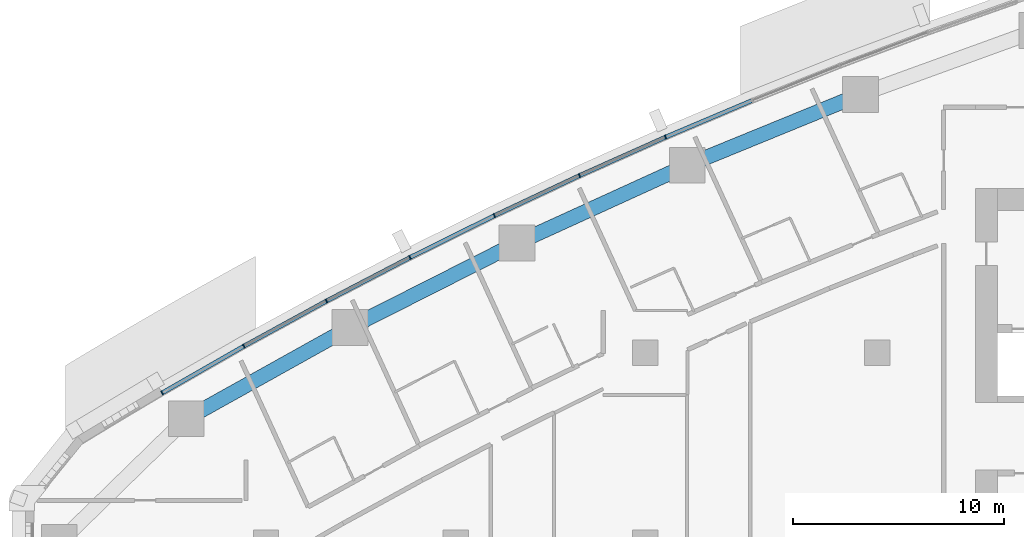
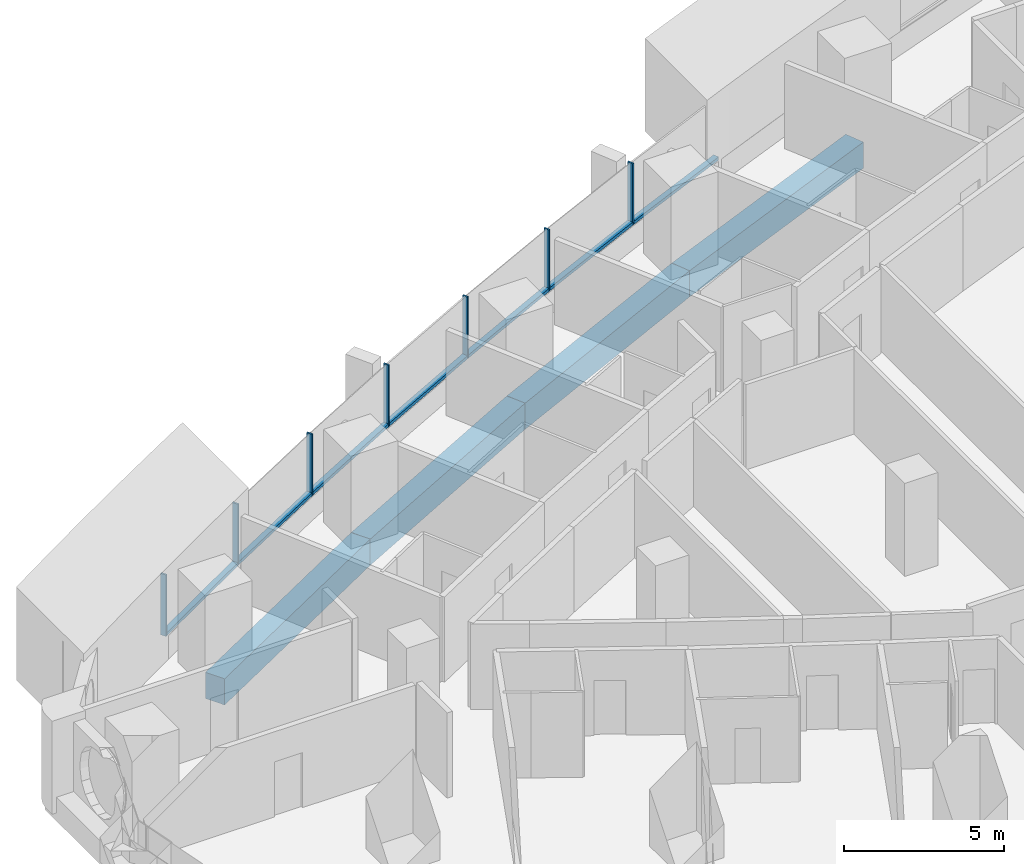
# One storey, part 5 of 17: 14 members, 4 beams, 4 elements without a shape of their own.
"""IFC4 building model written with IfcOpenShell, lengths in metres."""

from ifc_helpers import new_model, si_unit, direction, frame, origin, origin_2d, place, context, subcontext, project, spatial, rectangle, extrude, material, layer, layer_set, material_profile, profile_set, type_object, element, aggregate, save


model = new_model("IFC4")

# Units and contexts
model_context = context("Model", 3, precision=1e-05, world=origin(), true_north=direction((0.0, 1.0)))
body_context = subcontext(model_context, "Body", "Model", "MODEL_VIEW")
ifc_project = project(units=[si_unit("LENGTHUNIT", "METRE"), si_unit("AREAUNIT", "SQUARE_METRE"), si_unit("VOLUMEUNIT", "CUBIC_METRE"), si_unit("PLANEANGLEUNIT", "RADIAN"), si_unit("MASSUNIT", "GRAM", prefix="KILO")], contexts=[model_context])

# Site, building, storey
site_placement = place(None, origin())
site = spatial("IfcSite", under=ifc_project, at=site_placement, CompositionType="ELEMENT")
building_placement = place(site_placement, origin())
building = spatial("IfcBuilding", under=site, at=building_placement, Name="Ostrand Prow Hotel Tower", CompositionType="ELEMENT")
storey_placement = place(building_placement, frame((0.0, 0.0, 106.199951171875)))
storey = spatial("IfcBuildingStorey", under=building, at=storey_placement, Name="L25", CompositionType="ELEMENT", Elevation=106.199951171875)

# Beams
ifc_material_1 = material(Name="Concrete C80/95", Category="concrete")
ifc_material_profile_1 = material_profile(ifc_material_1, rectangle(XDim=0.699951171875, YDim=1.0, at=origin_2d()), Name="RC 700x1000")
ifc_profile_set_1 = profile_set([ifc_material_profile_1], Name="Concrete C80/95")
beam_type = type_object("IfcBeamType", Name="Edge beam 700x1000 C80/95", PredefinedType="SPANDREL", material=ifc_profile_set_1)
beam_1_placement = place(storey_placement, frame((44.210693359375, 21.263671875, -0.800048828125), z_axis=(-0.925612172894, -0.378473387955, 0.0), x_axis=(0.378473387955, -0.925612172894, 0.0)))
element("IfcBeam", 1, at=beam_1_placement, inside=storey, type_object=beam_type, Name="Edge beam N2-N3", PredefinedType="SPANDREL", context=body_context, shape_type="SweptSolid", body=[
    extrude(rectangle(XDim=0.699951171875, YDim=1.0, at=origin_2d()), origin(), (0.0, 0.0, 1.0), 8.88330078125),
])
beam_2_placement = place(storey_placement, frame((35.98828125, 17.901611328125, -0.800048828125), z_axis=(-0.909681006953, -0.415307675813, 0.0), x_axis=(0.415307675813, -0.909681006953, 0.0)))
element("IfcBeam", 2, at=beam_2_placement, inside=storey, type_object=beam_type, Name="Edge beam N3-N4", PredefinedType="SPANDREL", context=body_context, shape_type="SweptSolid", body=[
    extrude(rectangle(XDim=0.699951171875, YDim=1.0, at=origin_2d()), origin(), (0.0, 0.0, 1.0), 8.883544921875),
])
beam_3_placement = place(storey_placement, frame((27.906982421875, 14.212158203125, -0.800048828125), z_axis=(-0.892284288592, -0.451473973039, 0.0), x_axis=(0.451473973039, -0.892284288592, 0.0)))
element("IfcBeam", 3, at=beam_3_placement, inside=storey, type_object=beam_type, Name="Edge beam N4-N5", PredefinedType="SPANDREL", context=body_context, shape_type="SweptSolid", body=[
    extrude(rectangle(XDim=0.699951171875, YDim=1.0, at=origin_2d()), origin(), (0.0, 0.0, 1.0), 8.883056640625),
])
beam_4_placement = place(storey_placement, frame((19.980712890625, 10.20166015625, -0.800048828125), z_axis=(-0.873452439955, -0.486909473245, 0.0), x_axis=(0.486909473245, -0.873452439955, 0.0)))
element("IfcBeam", 4, at=beam_4_placement, inside=storey, type_object=beam_type, Name="Edge beam N5-N6", PredefinedType="SPANDREL", context=body_context, shape_type="SweptSolid", body=[
    extrude(rectangle(XDim=0.699951171875, YDim=1.0, at=origin_2d()), origin(), (0.0, 0.0, 1.0), 8.883544921875),
])

# Curtain wall, member
ifc_material_2 = material(Name="Insulated glass in bronze anodised frame", Category="glass")
ifc_layer = layer(ifc_material_2, 0.199951171875)
ifc_layer_set = layer_set([ifc_layer], Name="Insulated glass in bronze anodised frame")
curtain_wall_type = type_object("IfcCurtainWallType", Name="Strip curtain wall, fritted glass over bronze spandrel", PredefinedType="NOTDEFINED", material=ifc_layer_set)
curtain_wall_1_placement = place(storey_placement, origin())
curtain_wall_1 = element("IfcCurtainWall", 5, at=curtain_wall_1_placement, inside=storey, type_object=curtain_wall_type, Name="CW1 run CWN2", PredefinedType="NOTDEFINED")
ifc_material_3 = material(Name="Bronze anodised aluminium", Category="aluminium")
ifc_material_profile_2 = material_profile(ifc_material_3, rectangle(XDim=0.199951171875, YDim=0.06005859375, at=origin_2d()), Name="Mullion 60x200 bronze anodised aluminium")
ifc_profile_set_2 = profile_set([ifc_material_profile_2], Name="Bronze anodised aluminium")
member_type_1 = type_object("IfcMemberType", Name="Mullion 60x200 bronze anodised aluminium", PredefinedType="MULLION", material=ifc_profile_set_2)
member_1_placement = place(storey_placement, frame((34.95068359375, 19.233154296875, 0.900146484375), z_axis=(0.0, 0.0, 1.0), x_axis=(0.389506566255, -0.921023688536, 0.0)))
member_1 = element("IfcMember", 6, at=member_1_placement, type_object=member_type_1, Name="CW1 mullion 3", PredefinedType="MULLION", context=body_context, shape_type="SweptSolid", body=[
    extrude(rectangle(XDim=0.199951171875, YDim=0.06005859375, at=origin_2d()), origin(), (0.0, 0.0, 1.0), 2.349853515625),
])

# Curtain wall, members
curtain_wall_2_placement = place(storey_placement, origin())
curtain_wall_2 = element("IfcCurtainWall", 7, at=curtain_wall_2_placement, inside=storey, type_object=curtain_wall_type, Name="CW1 run CWN3", PredefinedType="NOTDEFINED")
member_2_placement = place(storey_placement, frame((30.872802734375, 17.41162109375, 0.900146484375), z_axis=(0.0, 0.0, 1.0), x_axis=(0.426079320162, -0.904685808958, 0.0)))
member_2 = element("IfcMember", 8, at=member_2_placement, type_object=member_type_1, Name="CW1 mullion 2", PredefinedType="MULLION", context=body_context, shape_type="SweptSolid", body=[
    extrude(rectangle(XDim=0.199951171875, YDim=0.06005859375, at=origin_2d()), origin(), (0.0, 0.0, 1.0), 2.349853515625),
])
member_3_placement = place(storey_placement, frame((26.83251953125, 15.508544921875, 0.900146484375), z_axis=(0.0, 0.0, 1.0), x_axis=(0.426079320162, -0.904685808958, 0.0)))
member_3 = element("IfcMember", 9, at=member_3_placement, type_object=member_type_1, Name="CW1 mullion 3", PredefinedType="MULLION", context=body_context, shape_type="SweptSolid", body=[
    extrude(rectangle(XDim=0.199951171875, YDim=0.06005859375, at=origin_2d()), origin(), (0.0, 0.0, 1.0), 2.349853515625),
])

curtain_wall_3_placement = place(storey_placement, origin())
curtain_wall_3 = element("IfcCurtainWall", 10, at=curtain_wall_3_placement, inside=storey, type_object=curtain_wall_type, Name="CW1 run CWN4", PredefinedType="NOTDEFINED")
member_4_placement = place(storey_placement, frame((22.831298828125, 13.525146484375, 0.900146484375), z_axis=(0.0, 0.0, 1.0), x_axis=(0.461968432937, -0.886896367661, 0.0)))
member_4 = element("IfcMember", 11, at=member_4_placement, type_object=member_type_1, Name="CW1 mullion 2", PredefinedType="MULLION", context=body_context, shape_type="SweptSolid", body=[
    extrude(rectangle(XDim=0.199951171875, YDim=0.06005859375, at=origin_2d()), origin(), (0.0, 0.0, 1.0), 2.349853515625),
])
member_5_placement = place(storey_placement, frame((18.870361328125, 11.4619140625, 0.900146484375), z_axis=(0.0, 0.0, 1.0), x_axis=(0.461968432937, -0.886896367661, 0.0)))
member_5 = element("IfcMember", 12, at=member_5_placement, type_object=member_type_1, Name="CW1 mullion 3", PredefinedType="MULLION", context=body_context, shape_type="SweptSolid", body=[
    extrude(rectangle(XDim=0.199951171875, YDim=0.06005859375, at=origin_2d()), origin(), (0.0, 0.0, 1.0), 2.349853515625),
])

curtain_wall_4_placement = place(storey_placement, origin())
curtain_wall_4 = element("IfcCurtainWall", 13, at=curtain_wall_4_placement, inside=storey, type_object=curtain_wall_type, Name="CW1 run CWN5", PredefinedType="NOTDEFINED")
member_6_placement = place(storey_placement, frame((14.951416015625, 9.320068359375, 0.900146484375), z_axis=(0.0, 0.0, 1.0), x_axis=(0.497114806368, -0.867684775301, 0.0)))
member_6 = element("IfcMember", 14, at=member_6_placement, type_object=member_type_1, Name="CW1 mullion 2", PredefinedType="MULLION", context=body_context, shape_type="SweptSolid", body=[
    extrude(rectangle(XDim=0.199951171875, YDim=0.06005859375, at=origin_2d()), origin(), (0.0, 0.0, 1.0), 2.349853515625),
])
member_7_placement = place(storey_placement, frame((11.076416015625, 7.099853515625, 0.900146484375), z_axis=(0.0, 0.0, 1.0), x_axis=(0.497114806368, -0.867684775301, 0.0)))
member_7 = element("IfcMember", 15, at=member_7_placement, type_object=member_type_1, Name="CW1 mullion 3", PredefinedType="MULLION", context=body_context, shape_type="SweptSolid", body=[
    extrude(rectangle(XDim=0.199951171875, YDim=0.06005859375, at=origin_2d()), origin(), (0.0, 0.0, 1.0), 2.349853515625),
])

# Member
ifc_material_4 = material(Name="Bronze anodised aluminium", Category="aluminium")
ifc_material_profile_3 = material_profile(ifc_material_4, rectangle(XDim=0.199951171875, YDim=0.1201171875, at=origin_2d()), Name="Transom 120x200 bronze anodised aluminium")
ifc_profile_set_3 = profile_set([ifc_material_profile_3], Name="Bronze anodised aluminium")
member_type_2 = type_object("IfcMemberType", Name="Transom 120x200 bronze anodised aluminium", PredefinedType="USERDEFINED", material=ifc_profile_set_3)
member_8_placement = place(storey_placement, frame((39.0361328125, 20.9609375, 0.9599609375), z_axis=(-0.921006250528, -0.389547797438, 0.0), x_axis=(0.389547797438, -0.921006250528, 0.0)))
member_8 = element("IfcMember", 16, at=member_8_placement, type_object=member_type_2, Name="CW1 transom 2.1", ObjectType="TRANSOM", PredefinedType="USERDEFINED", context=body_context, shape_type="SweptSolid", body=[
    extrude(rectangle(XDim=0.199951171875, YDim=0.1201171875, at=origin_2d()), origin(), (0.0, 0.0, 1.0), 4.406005859375),
])

aggregate(curtain_wall_1, [member_1, member_8])

member_9_placement = place(storey_placement, frame((34.923095703125, 19.220703125, 0.9599609375), z_axis=(-0.913030665163, -0.407890922271, 0.0), x_axis=(0.407890922271, -0.913030665163, 0.0)))
member_9 = element("IfcMember", 17, at=member_9_placement, type_object=member_type_2, Name="CW1 transom 1.1", ObjectType="TRANSOM", PredefinedType="USERDEFINED", context=body_context, shape_type="SweptSolid", body=[
    extrude(rectangle(XDim=0.199951171875, YDim=0.1201171875, at=origin_2d()), origin(), (0.0, 0.0, 1.0), 4.40576171875),
])

member_10_placement = place(storey_placement, frame((30.845703125, 17.398681640625, 0.9599609375), z_axis=(-0.904696854963, -0.42605586561, 0.0), x_axis=(0.42605586561, -0.904696854963, 0.0)))
member_10 = element("IfcMember", 18, at=member_10_placement, type_object=member_type_2, Name="CW1 transom 2.1", ObjectType="TRANSOM", PredefinedType="USERDEFINED", context=body_context, shape_type="SweptSolid", body=[
    extrude(rectangle(XDim=0.199951171875, YDim=0.1201171875, at=origin_2d()), origin(), (0.0, 0.0, 1.0), 4.406005859375),
])

aggregate(curtain_wall_2, [member_2, member_3, member_9, member_10])

member_11_placement = place(storey_placement, frame((26.8056640625, 15.495361328125, 0.9599609375), z_axis=(-0.895962348168, -0.444130015497, 0.0), x_axis=(0.444130015497, -0.895962348168, 0.0)))
member_11 = element("IfcMember", 19, at=member_11_placement, type_object=member_type_2, Name="CW1 transom 1.1", ObjectType="TRANSOM", PredefinedType="USERDEFINED", context=body_context, shape_type="SweptSolid", body=[
    extrude(rectangle(XDim=0.199951171875, YDim=0.1201171875, at=origin_2d()), origin(), (0.0, 0.0, 1.0), 4.406005859375),
])

member_12_placement = place(storey_placement, frame((22.8046875, 13.51123046875, 0.9599609375), z_axis=(-0.886901787206, -0.461958028235, 0.0), x_axis=(0.461958028235, -0.886901787206, 0.0)))
member_12 = element("IfcMember", 20, at=member_12_placement, type_object=member_type_2, Name="CW1 transom 2.1", ObjectType="TRANSOM", PredefinedType="USERDEFINED", context=body_context, shape_type="SweptSolid", body=[
    extrude(rectangle(XDim=0.199951171875, YDim=0.1201171875, at=origin_2d()), origin(), (0.0, 0.0, 1.0), 4.406005859375),
])

aggregate(curtain_wall_3, [member_4, member_5, member_11, member_12])

member_13_placement = place(storey_placement, frame((18.843994140625, 11.44775390625, 0.9599609375), z_axis=(-0.877471714137, -0.479628388328, 0.0), x_axis=(0.479628388328, -0.877471714137, 0.0)))
member_13 = element("IfcMember", 21, at=member_13_placement, type_object=member_type_2, Name="CW1 transom 1.1", ObjectType="TRANSOM", PredefinedType="USERDEFINED", context=body_context, shape_type="SweptSolid", body=[
    extrude(rectangle(XDim=0.199951171875, YDim=0.1201171875, at=origin_2d()), origin(), (0.0, 0.0, 1.0), 4.406005859375),
])

member_14_placement = place(storey_placement, frame((14.925537109375, 9.30517578125, 0.9599609375), z_axis=(-0.86766970623, -0.497141107625, 0.0), x_axis=(0.497141107625, -0.86766970623, 0.0)))
member_14 = element("IfcMember", 22, at=member_14_placement, type_object=member_type_2, Name="CW1 transom 2.1", ObjectType="TRANSOM", PredefinedType="USERDEFINED", context=body_context, shape_type="SweptSolid", body=[
    extrude(rectangle(XDim=0.199951171875, YDim=0.1201171875, at=origin_2d()), origin(), (0.0, 0.0, 1.0), 4.406005859375),
])

aggregate(curtain_wall_4, [member_6, member_7, member_13, member_14])

save(model, "model.ifc")
